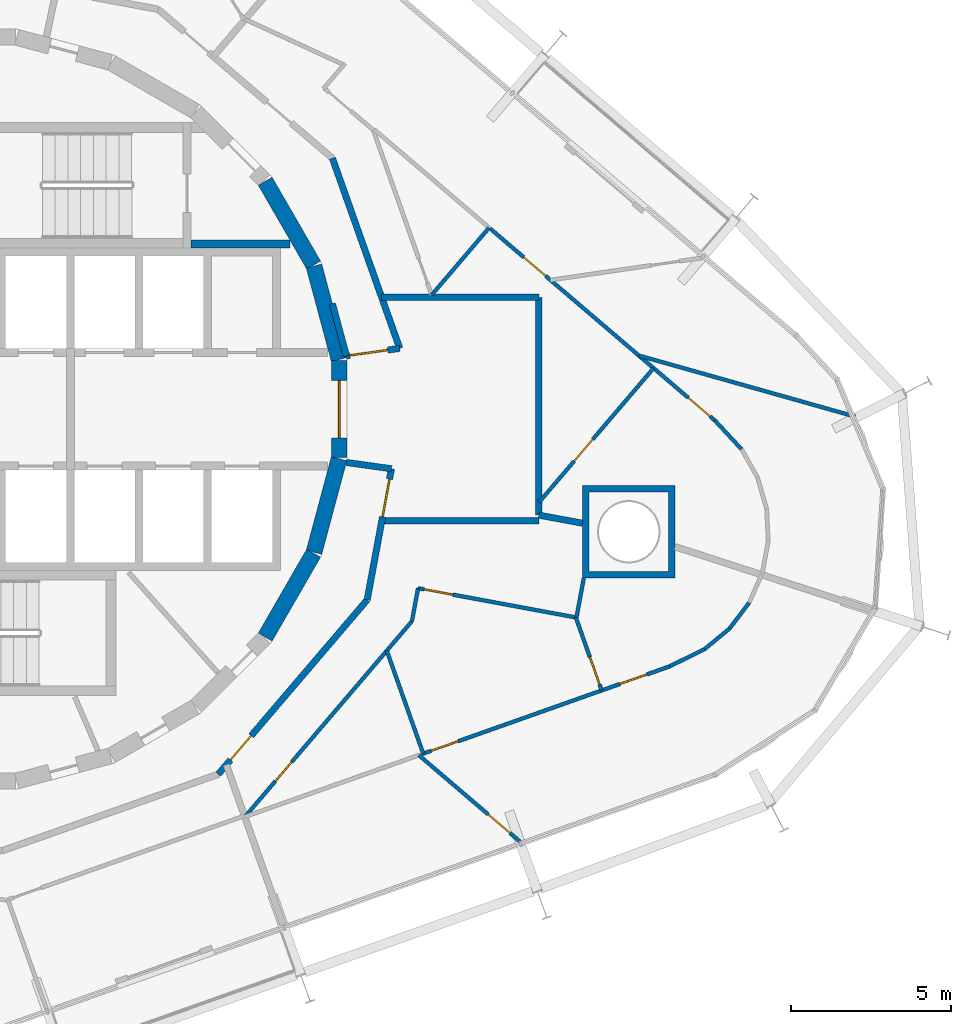
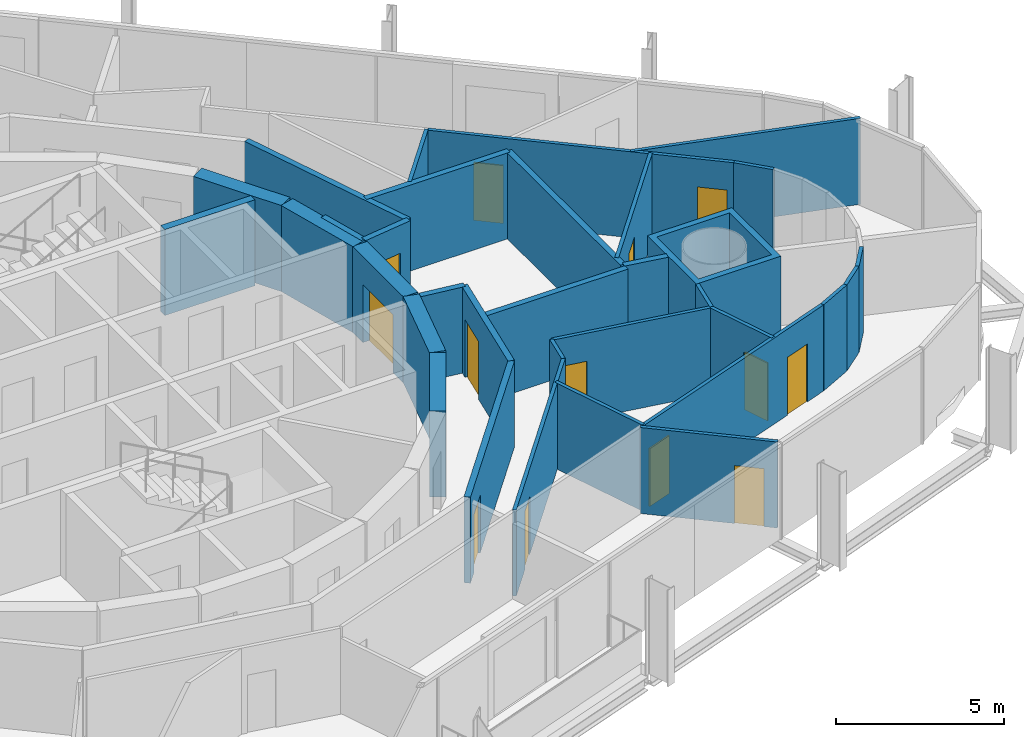
# One storey, part 13 of 17: 33 walls, 13 doors, 13 openings.
"""IFC4 building model written with IfcOpenShell, lengths in metres."""

from ifc_helpers import new_model, si_unit, direction, frame, frame_2d, origin, place, context, subcontext, project, spatial, polyline, rectangle, outline, extrude, material, layer, layer_set, type_object, element, fill, save


model = new_model("IFC4")

# Units and contexts
model_context = context("Model", 3, precision=1e-05, world=origin(), true_north=direction((0.0, 1.0)))
body_context = subcontext(model_context, "Body", "Model", "MODEL_VIEW")
ifc_project = project(units=[si_unit("LENGTHUNIT", "METRE"), si_unit("AREAUNIT", "SQUARE_METRE"), si_unit("VOLUMEUNIT", "CUBIC_METRE"), si_unit("PLANEANGLEUNIT", "RADIAN"), si_unit("MASSUNIT", "GRAM", prefix="KILO")], contexts=[model_context])

# Site, building, storey
site_placement = place(None, origin())
site = spatial("IfcSite", under=ifc_project, at=site_placement, CompositionType="ELEMENT")
building_placement = place(site_placement, origin())
building = spatial("IfcBuilding", under=site, at=building_placement, Name="Spindle Arch Residences", CompositionType="ELEMENT")
storey_placement = place(building_placement, frame((0.0, 0.0, 169.199951171875)))
storey = spatial("IfcBuildingStorey", under=building, at=storey_placement, Name="L42", CompositionType="ELEMENT", Elevation=169.199951171875)

# Walls
ifc_material_1 = material(Name="Concrete C50/60", Category="concrete")
ifc_layer_1 = layer(ifc_material_1, 0.5)
ifc_layer_set_1 = layer_set([ifc_layer_1], Name="Core outline wall 500")
wall_type_1 = type_object("IfcWallType", Name="Core outline wall 500", PredefinedType="SHEAR", material=ifc_layer_set_1)
for number, where, z_axis, x_axis, name in (
    (1, (9.32861328125, -7.13671875, 0.0), (0.0, 0.0, 1.0), (0.500087131594, 0.865975092491, 0.0), "Core outline wall 4"),
    (2, (10.858154296875, -4.479248046875, 0.0), (0.0, 0.0, 1.0), (0.258734743916, 0.965948410781, 0.0), "Core outline wall 5"),
):
    element("IfcWall", number, at=place(storey_placement, frame(where, z_axis=z_axis, x_axis=x_axis)), inside=storey, type_object=wall_type_1, Name=name, PredefinedType="SHEAR", context=body_context, shape_type="SweptSolid", body=[
        extrude(rectangle(XDim=3.03271484375, YDim=0.5, at=frame_2d((1.516357421875, 0.0))), origin(), (0.0, 0.0, 1.0), 3.1201171875),
    ])

# Wall, opening, door
wall_1_placement = place(storey_placement, frame((11.647216796875, -1.516357421875, 0.0), z_axis=(0.0, 0.0, 1.0), x_axis=(0.0, 1.0, 0.0)))
wall_1 = element("IfcWall", 3, at=wall_1_placement, inside=storey, type_object=wall_type_1, Name="Core outline wall 6", PredefinedType="SHEAR", context=body_context, shape_type="SweptSolid", body=[
    extrude(rectangle(XDim=3.03271484375, YDim=0.5, at=frame_2d((1.516357421875, 0.0))), origin(), (0.0, 0.0, 1.0), 3.1201171875),
])
opening_1_placement = place(wall_1_placement, frame((0.6162109375, 0.0, 0.0)))
opening_1 = element("IfcOpeningElement", 4, at=opening_1_placement, cuts=wall_1, Name="Opening R4B1-FE01", PredefinedType="OPENING", context=body_context, shape_type="SweptSolid", body=[
    extrude(rectangle(XDim=1.800048828125, YDim=2.10009765625, at=frame_2d((0.89990234375, 1.050048828125))), frame((0.0, 0.260009765625, 0.0), z_axis=(0.0, -1.0, 0.0), x_axis=(1.0, 0.0, 0.0)), (0.0, 0.0, 1.0), 0.52001953125),
])
ifc_material_2 = material(Name="Steel, fire-resisting door", Category="steel")
door_type_1 = type_object("IfcDoorType", Name="Fire-lift lobby door 1800x2100", OperationType="DOUBLE_DOOR_SINGLE_SWING", PredefinedType="DOOR", material=ifc_material_2)
door_1_placement = place(opening_1_placement, origin())
door_1 = element("IfcDoor", 5, at=door_1_placement, inside=storey, type_object=door_type_1, Name="Fire-lift lobby door R4B1-FE01", OperationType="DOUBLE_DOOR_SINGLE_SWING", OverallHeight=2.10009765625, OverallWidth=1.800048828125, PredefinedType="DOOR", context=body_context, shape_type="SweptSolid", body=[
    extrude(rectangle(XDim=1.800048828125, YDim=2.10009765625, at=frame_2d((0.89990234375, 1.050048828125))), frame((0.0, 0.02490234375, 0.0), z_axis=(0.0, -1.0, 0.0), x_axis=(1.0, 0.0, 0.0)), (0.0, 0.0, 1.0), 0.050048828125),
])
fill(opening_1, door_1)

# Walls
for number, where, z_axis, x_axis, name in (
    (6, (11.642822265625, 1.5498046875, 0.0), (0.0, 0.0, 1.0), (-0.258734743916, 0.965948410781, 0.0), "Core outline wall 7"),
    (7, (10.84521484375, 4.510498046875, 0.0), (0.0, 0.0, 1.0), (-0.500087131594, 0.865975092491, 0.0), "Core outline wall 8"),
):
    element("IfcWall", number, at=place(storey_placement, frame(where, z_axis=z_axis, x_axis=x_axis)), inside=storey, type_object=wall_type_1, Name=name, PredefinedType="SHEAR", context=body_context, shape_type="SweptSolid", body=[
        extrude(rectangle(XDim=3.03271484375, YDim=0.5, at=frame_2d((1.516357421875, 0.0))), origin(), (0.0, 0.0, 1.0), 3.1201171875),
    ])

# Wall, opening, door
ifc_material_3 = material(Name="Calcium silicate block, plastered")
ifc_layer_2 = layer(ifc_material_3, 0.199951171875)
ifc_layer_set_2 = layer_set([ifc_layer_2], Name="Corridor wall 200")
wall_type_2 = type_object("IfcWallType", Name="Corridor wall 200", PredefinedType="STANDARD", material=ifc_layer_set_2)
wall_2_placement = place(storey_placement, frame((7.857666015625, -11.432861328125, 0.0), z_axis=(0.0, 0.0, 1.0), x_axis=(0.649440801937, 0.760412154545, 0.0)))
wall_2 = element("IfcWall", 8, at=wall_2_placement, inside=storey, type_object=wall_type_2, Name="Corridor wall R4B1-W020", PredefinedType="STANDARD", context=body_context, shape_type="SweptSolid", body=[
    extrude(rectangle(XDim=7.180908203125, YDim=0.199951171875, at=frame_2d((3.59033203125, 0.0))), origin(), (0.0, 0.0, 1.0), 3.1201171875),
])
opening_2_placement = place(wall_2_placement, frame((0.592041015625, 0.0, 0.0)))
opening_2 = element("IfcOpeningElement", 9, at=opening_2_placement, cuts=wall_2, Name="Opening R4B1-FD06", PredefinedType="OPENING", context=body_context, shape_type="SweptSolid", body=[
    extrude(rectangle(XDim=1.0, YDim=2.10009765625, at=frame_2d((0.5, 1.050048828125))), frame((0.0, 0.10986328125, 0.0), z_axis=(0.0, -1.0, 0.0), x_axis=(1.0, 0.0, 0.0)), (0.0, 0.0, 1.0), 0.219970703125),
])
ifc_material_4 = material(Name="Timber, fire-resisting door set", Category="wood")
door_type_2 = type_object("IfcDoorType", Name="Flat entrance door 1000x2100", OperationType="NOTDEFINED", PredefinedType="DOOR", material=ifc_material_4)
door_2_placement = place(opening_2_placement, origin())
door_2 = element("IfcDoor", 10, at=door_2_placement, inside=storey, type_object=door_type_2, Name="Flat entrance door R4B1-FD06", OperationType="SINGLE_SWING_RIGHT", OverallHeight=2.10009765625, OverallWidth=1.0, PredefinedType="DOOR", context=body_context, shape_type="SweptSolid", body=[
    extrude(rectangle(XDim=1.0, YDim=2.10009765625, at=frame_2d((0.5, 1.050048828125))), frame((0.0, 0.02490234375, 0.0), z_axis=(0.0, -1.0, 0.0), x_axis=(1.0, 0.0, 0.0)), (0.0, 0.0, 1.0), 0.050048828125),
])
fill(opening_2, door_2)

# Wall
ifc_material_5 = material(Name="Calcium silicate block, plastered")
ifc_layer_3 = layer(ifc_material_5, 0.199951171875)
ifc_layer_set_3 = layer_set([ifc_layer_3], Name="Fire-lift lobby bay wall 200")
wall_type_3 = type_object("IfcWallType", Name="Fire-lift lobby bay wall 200", PredefinedType="STANDARD", material=ifc_layer_set_3)
wall_3_placement = place(storey_placement, frame((11.8701171875, 1.668212890625, 0.0), z_axis=(0.0, 0.0, 1.0), x_axis=(-0.258836880648, 0.965921047093, 0.0)))
element("IfcWall", 11, at=wall_3_placement, inside=storey, type_object=wall_type_3, Name="Fire-lift lobby bay wall R4B1-W001", PredefinedType="STANDARD", context=body_context, shape_type="SweptSolid", body=[
    extrude(rectangle(XDim=1.695068359375, YDim=0.199951171875, at=frame_2d((0.84765625, 0.0))), origin(), (0.0, 0.0, 1.0), 3.1201171875),
])

# Wall, opening, door
wall_4_placement = place(storey_placement, frame((11.8701171875, 1.668212890625, 0.0), z_axis=(0.0, 0.0, 1.0), x_axis=(0.990270910415, 0.139152879904, 0.0)))
wall_4 = element("IfcWall", 12, at=wall_4_placement, inside=storey, type_object=wall_type_3, Name="Fire-lift lobby bay wall R4B1-W002", PredefinedType="STANDARD", context=body_context, shape_type="SweptSolid", body=[
    extrude(rectangle(XDim=1.687744140625, YDim=0.199951171875, at=frame_2d((0.84375, 0.0))), origin(), (0.0, 0.0, 1.0), 3.1201171875),
])
opening_3_placement = place(wall_4_placement, frame((0.110107421875, 0.0, 0.0)))
opening_3 = element("IfcOpeningElement", 13, at=opening_3_placement, cuts=wall_4, Name="Opening R4B1-CD01", PredefinedType="OPENING", context=body_context, shape_type="SweptSolid", body=[
    extrude(rectangle(XDim=1.199951171875, YDim=2.10009765625, at=frame_2d((0.60009765625, 1.050048828125))), frame((0.0, 0.10986328125, 0.0), z_axis=(0.0, -1.0, 0.0), x_axis=(1.0, 0.0, 0.0)), (0.0, 0.0, 1.0), 0.219970703125),
])
ifc_material_6 = material(Name="Steel, fire-resisting door", Category="steel")
door_type_3 = type_object("IfcDoorType", Name="Corridor division door 1200x2100", OperationType="NOTDEFINED", PredefinedType="DOOR", material=ifc_material_6)
door_3_placement = place(opening_3_placement, origin())
door_3 = element("IfcDoor", 14, at=door_3_placement, inside=storey, type_object=door_type_3, Name="Corridor division door R4B1-CD01", OperationType="DOUBLE_DOOR_SINGLE_SWING", OverallHeight=2.10009765625, OverallWidth=1.199951171875, PredefinedType="DOOR", context=body_context, shape_type="SweptSolid", body=[
    extrude(rectangle(XDim=1.199951171875, YDim=2.10009765625, at=frame_2d((0.60009765625, 1.050048828125))), frame((0.0, 0.02490234375, 0.0), z_axis=(0.0, -1.0, 0.0), x_axis=(1.0, 0.0, 0.0)), (0.0, 0.0, 1.0), 0.050048828125),
])
fill(opening_3, door_3)

# Wall
wall_5_placement = place(storey_placement, frame((13.54150390625, 1.903076171875, 0.0), z_axis=(0.0, 0.0, 1.0), x_axis=(-0.333808508206, 0.942640907159, 0.0)))
element("IfcWall", 15, at=wall_5_placement, inside=storey, type_object=wall_type_3, Name="Fire-lift lobby bay wall R4B1-W003", PredefinedType="STANDARD", context=body_context, shape_type="SweptSolid", body=[
    extrude(rectangle(XDim=6.31689453125, YDim=0.199951171875, at=frame_2d((3.158447265625, 0.0))), origin(), (0.0, 0.0, 1.0), 3.1201171875),
])

# Wall, opening, door
wall_6_placement = place(storey_placement, frame((12.521240234375, -5.972412109375, 0.0), z_axis=(0.0, 0.0, 1.0), x_axis=(0.182244189886, 0.983253301674, 0.0)))
wall_6 = element("IfcWall", 16, at=wall_6_placement, inside=storey, type_object=wall_type_3, Name="Fire-lift lobby bay wall R4B1-W012", PredefinedType="STANDARD", context=body_context, shape_type="SweptSolid", body=[
    extrude(rectangle(XDim=4.175537109375, YDim=0.199951171875, at=frame_2d((2.087890625, 0.0))), origin(), (0.0, 0.0, 1.0), 3.1201171875),
])
opening_4_placement = place(wall_6_placement, frame((2.64453125, 0.0, 0.0)))
opening_4 = element("IfcOpeningElement", 17, at=opening_4_placement, cuts=wall_6, Name="Opening R4B1-CD02", PredefinedType="OPENING", context=body_context, shape_type="SweptSolid", body=[
    extrude(rectangle(XDim=1.199951171875, YDim=2.10009765625, at=frame_2d((0.60009765625, 1.050048828125))), frame((0.0, 0.10986328125, 0.0), z_axis=(0.0, -1.0, 0.0), x_axis=(1.0, 0.0, 0.0)), (0.0, 0.0, 1.0), 0.219970703125),
])
door_4_placement = place(opening_4_placement, origin())
door_4 = element("IfcDoor", 18, at=door_4_placement, inside=storey, type_object=door_type_3, Name="Corridor division door R4B1-CD02", OperationType="DOUBLE_DOOR_SINGLE_SWING", OverallHeight=2.10009765625, OverallWidth=1.199951171875, PredefinedType="DOOR", context=body_context, shape_type="SweptSolid", body=[
    extrude(rectangle(XDim=1.199951171875, YDim=2.10009765625, at=frame_2d((0.60009765625, 1.050048828125))), frame((0.0, 0.02490234375, 0.0), z_axis=(0.0, -1.0, 0.0), x_axis=(1.0, 0.0, 0.0)), (0.0, 0.0, 1.0), 0.050048828125),
])
fill(opening_4, door_4)

# Walls
wall_7_placement = place(storey_placement, frame((13.2822265625, -1.86669921875, 0.0), z_axis=(0.0, 0.0, 1.0), x_axis=(-0.990265430288, 0.139191873241, 0.0)))
element("IfcWall", 19, at=wall_7_placement, inside=storey, type_object=wall_type_3, Name="Fire-lift lobby bay wall R4B1-W013", PredefinedType="STANDARD", context=body_context, shape_type="SweptSolid", body=[
    extrude(rectangle(XDim=1.426025390625, YDim=0.199951171875, at=frame_2d((0.712890625, 0.0))), origin(), (0.0, 0.0, 1.0), 3.1201171875),
])
wall_8_placement = place(storey_placement, frame((17.89990234375, 3.5, 0.0), z_axis=(0.0, 0.0, 1.0), x_axis=(-1.0, 0.0, 0.0)))
element("IfcWall", 20, at=wall_8_placement, inside=storey, type_object=wall_type_3, Name="Fire-lift lobby bay wall R4B1-W025", PredefinedType="STANDARD", context=body_context, shape_type="SweptSolid", body=[
    extrude(rectangle(XDim=4.923828125, YDim=0.199951171875, at=frame_2d((2.4619140625, 0.0))), origin(), (0.0, 0.0, 1.0), 3.1201171875),
])
wall_9_placement = place(storey_placement, frame((17.89990234375, -3.317626953125, 0.0), z_axis=(0.0, 0.0, 1.0), x_axis=(0.0, 1.0, 0.0)))
element("IfcWall", 21, at=wall_9_placement, inside=storey, type_object=wall_type_3, Name="Fire-lift lobby bay wall R4B1-W026", PredefinedType="STANDARD", context=body_context, shape_type="SweptSolid", body=[
    extrude(rectangle(XDim=6.817626953125, YDim=0.199951171875, at=frame_2d((3.40869140625, 0.0))), origin(), (0.0, 0.0, 1.0), 3.1201171875),
])
wall_10_placement = place(storey_placement, frame((12.9794921875, -3.5, 0.0), z_axis=(0.0, 0.0, 1.0), x_axis=(1.0, 0.0, 0.0)))
element("IfcWall", 22, at=wall_10_placement, inside=storey, type_object=wall_type_3, Name="Fire-lift lobby bay wall R4B1-W027", PredefinedType="STANDARD", context=body_context, shape_type="SweptSolid", body=[
    extrude(rectangle(XDim=4.92041015625, YDim=0.199951171875, at=frame_2d((2.460205078125, 0.0))), origin(), (0.0, 0.0, 1.0), 3.1201171875),
])

# Wall, openings, doors
ifc_material_7 = material(Name="Plasterboard on steel studs", Category="steel")
ifc_layer_4 = layer(ifc_material_7, 0.1201171875)
ifc_layer_set_4 = layer_set([ifc_layer_4], Name="Flat partition 120")
wall_type_4 = type_object("IfcWallType", Name="Flat partition 120", PredefinedType="PARTITIONING", material=ifc_layer_set_4)
wall_11_placement = place(storey_placement, frame((23.411376953125, -0.35693359375, 0.0), z_axis=(0.0, 0.0, 1.0), x_axis=(-0.76041871148, 0.649433124525, 0.0)))
wall_11 = element("IfcWall", 23, at=wall_11_placement, inside=storey, type_object=wall_type_4, Name="Flat partition R4B1-W043", PredefinedType="PARTITIONING", context=body_context, shape_type="SweptSolid", body=[
    extrude(rectangle(XDim=9.2587890625, YDim=0.1201171875, at=frame_2d((4.62939453125, 0.0))), origin(), (0.0, 0.0, 1.0), 3.1201171875),
])
opening_5_placement = place(wall_11_placement, frame((6.971923828125, 0.0, 0.0)))
opening_5 = element("IfcOpeningElement", 24, at=opening_5_placement, cuts=wall_11, Name="Opening R4B1-ID02", PredefinedType="OPENING", context=body_context, shape_type="SweptSolid", body=[
    extrude(rectangle(XDim=0.89990234375, YDim=2.10009765625, at=frame_2d((0.449951171875, 1.050048828125))), frame((0.0, 0.070068359375, 0.0), z_axis=(0.0, -1.0, 0.0), x_axis=(1.0, 0.0, 0.0)), (0.0, 0.0, 1.0), 0.14013671875),
])
opening_6_placement = place(wall_11_placement, frame((0.199951171875, 0.0, 0.0)))
opening_6 = element("IfcOpeningElement", 25, at=opening_6_placement, cuts=wall_11, Name="Opening R4B1-ID05", PredefinedType="OPENING", context=body_context, shape_type="SweptSolid", body=[
    extrude(rectangle(XDim=0.89990234375, YDim=2.10009765625, at=frame_2d((0.449951171875, 1.050048828125))), frame((0.0, 0.070068359375, 0.0), z_axis=(0.0, -1.0, 0.0), x_axis=(1.0, 0.0, 0.0)), (0.0, 0.0, 1.0), 0.14013671875),
])
ifc_material_8 = material(Name="Timber door set", Category="wood")
door_type_4 = type_object("IfcDoorType", Name="Room door 900x2100", OperationType="NOTDEFINED", PredefinedType="DOOR", material=ifc_material_8)
door_5_placement = place(opening_5_placement, origin())
door_5 = element("IfcDoor", 26, at=door_5_placement, inside=storey, type_object=door_type_4, Name="Room door R4B1-ID02", OperationType="SINGLE_SWING_RIGHT", OverallHeight=2.10009765625, OverallWidth=0.89990234375, PredefinedType="DOOR", context=body_context, shape_type="SweptSolid", body=[
    extrude(rectangle(XDim=0.89990234375, YDim=2.10009765625, at=frame_2d((0.449951171875, 1.050048828125))), frame((0.0, 0.02490234375, 0.0), z_axis=(0.0, -1.0, 0.0), x_axis=(1.0, 0.0, 0.0)), (0.0, 0.0, 1.0), 0.050048828125),
])
fill(opening_5, door_5)
door_6_placement = place(opening_6_placement, origin())
door_6 = element("IfcDoor", 27, at=door_6_placement, inside=storey, type_object=door_type_4, Name="Room door R4B1-ID05", OperationType="SINGLE_SWING_LEFT", OverallHeight=2.10009765625, OverallWidth=0.89990234375, PredefinedType="DOOR", context=body_context, shape_type="SweptSolid", body=[
    extrude(rectangle(XDim=0.89990234375, YDim=2.10009765625, at=frame_2d((0.449951171875, 1.050048828125))), frame((0.0, 0.02490234375, 0.0), z_axis=(0.0, -1.0, 0.0), x_axis=(1.0, 0.0, 0.0)), (0.0, 0.0, 1.0), 0.050048828125),
])
fill(opening_6, door_6)

# Wall
wall_12_placement = place(storey_placement, frame((16.340576171875, 5.681884765625, 0.0), z_axis=(0.0, 0.0, 1.0), x_axis=(-0.64946993237, -0.76038727432, 0.0)))
element("IfcWall", 28, at=wall_12_placement, inside=storey, type_object=wall_type_4, Name="Flat partition R4B1-W044", PredefinedType="PARTITIONING", context=body_context, shape_type="SweptSolid", body=[
    extrude(rectangle(XDim=2.771240234375, YDim=0.1201171875, at=frame_2d((1.3857421875, 0.0))), origin(), (0.0, 0.0, 1.0), 3.1201171875),
])

# Wall, opening, door
wall_13_placement = place(storey_placement, frame((17.89990234375, -2.91845703125, 0.0), z_axis=(0.0, 0.0, 1.0), x_axis=(0.649469887983, 0.760387312232, 0.0)))
wall_13 = element("IfcWall", 29, at=wall_13_placement, inside=storey, type_object=wall_type_4, Name="Flat partition R4B1-W045", PredefinedType="PARTITIONING", context=body_context, shape_type="SweptSolid", body=[
    extrude(rectangle(XDim=5.52685546875, YDim=0.1201171875, at=frame_2d((2.763427734375, 0.0))), origin(), (0.0, 0.0, 1.0), 3.1201171875),
])
opening_7_placement = place(wall_13_placement, frame((1.699951171875, 0.0, 0.0)))
opening_7 = element("IfcOpeningElement", 30, at=opening_7_placement, cuts=wall_13, Name="Opening R4B1-ID04", PredefinedType="OPENING", context=body_context, shape_type="SweptSolid", body=[
    extrude(rectangle(XDim=0.89990234375, YDim=2.10009765625, at=frame_2d((0.449951171875, 1.050048828125))), frame((0.0, 0.070068359375, 0.0), z_axis=(0.0, -1.0, 0.0), x_axis=(1.0, 0.0, 0.0)), (0.0, 0.0, 1.0), 0.14013671875),
])
door_7_placement = place(opening_7_placement, origin())
door_7 = element("IfcDoor", 31, at=door_7_placement, inside=storey, type_object=door_type_4, Name="Room door R4B1-ID04", OperationType="SINGLE_SWING_LEFT", OverallHeight=2.10009765625, OverallWidth=0.89990234375, PredefinedType="DOOR", context=body_context, shape_type="SweptSolid", body=[
    extrude(rectangle(XDim=0.89990234375, YDim=2.10009765625, at=frame_2d((0.449951171875, 1.050048828125))), frame((0.0, 0.02490234375, 0.0), z_axis=(0.0, -1.0, 0.0), x_axis=(1.0, 0.0, 0.0)), (0.0, 0.0, 1.0), 0.050048828125),
])
fill(opening_7, door_7)

# Walls
wall_14_placement = place(storey_placement, frame((21.029052734375, 1.677490234375, 0.0), z_axis=(0.0, 0.0, 1.0), x_axis=(0.962458274539, -0.271429677396, 0.0)))
element("IfcWall", 32, at=wall_14_placement, inside=storey, type_object=wall_type_4, Name="Flat partition R4B1-W047", PredefinedType="PARTITIONING", context=body_context, shape_type="SweptSolid", body=[
    extrude(rectangle(XDim=7.037353515625, YDim=0.1201171875, at=frame_2d((3.5185546875, 0.0))), origin(), (0.0, 0.0, 1.0), 3.1201171875),
])
wall_15_placement = place(storey_placement, frame((24.24560546875, -1.2568359375, 0.0), z_axis=(0.0, 0.0, 1.0), x_axis=(-0.679840361176, 0.733360132074, 0.0)))
element("IfcWall", 33, at=wall_15_placement, inside=storey, type_object=wall_type_4, Name="Flat partition R4B1-W052", PredefinedType="PARTITIONING", context=body_context, shape_type="SweptSolid", body=[
    extrude(rectangle(XDim=1.22705078125, YDim=0.1201171875, at=frame_2d((0.613525390625, 0.0))), origin(), (0.0, 0.0, 1.0), 3.1201171875),
])

# Wall, opening, door
wall_16_placement = place(storey_placement, frame((8.7373046875, -12.712646484375, 0.0), z_axis=(0.0, 0.0, 1.0), x_axis=(0.649430604754, 0.760420863476, 0.0)))
wall_16 = element("IfcWall", 34, at=wall_16_placement, inside=storey, type_object=wall_type_4, Name="Flat partition R4B1-W112", PredefinedType="PARTITIONING", context=body_context, shape_type="SweptSolid", body=[
    extrude(rectangle(XDim=7.98486328125, YDim=0.1201171875, at=frame_2d((3.992431640625, 0.0))), origin(), (0.0, 0.0, 1.0), 3.1201171875),
])
opening_8_placement = place(wall_16_placement, frame((1.39990234375, 0.0, 0.0)))
opening_8 = element("IfcOpeningElement", 35, at=opening_8_placement, cuts=wall_16, Name="Opening R4B1-BD06", PredefinedType="OPENING", context=body_context, shape_type="SweptSolid", body=[
    extrude(rectangle(XDim=0.800048828125, YDim=2.10009765625, at=frame_2d((0.39990234375, 1.050048828125))), frame((0.0, 0.070068359375, 0.0), z_axis=(0.0, -1.0, 0.0), x_axis=(1.0, 0.0, 0.0)), (0.0, 0.0, 1.0), 0.14013671875),
])
ifc_material_9 = material(Name="Timber door set", Category="wood")
door_type_5 = type_object("IfcDoorType", Name="Bathroom door 800x2100", OperationType="NOTDEFINED", PredefinedType="DOOR", material=ifc_material_9)
door_8_placement = place(opening_8_placement, origin())
door_8 = element("IfcDoor", 36, at=door_8_placement, inside=storey, type_object=door_type_5, Name="Bathroom door R4B1-BD06", OperationType="SINGLE_SWING_RIGHT", OverallHeight=2.10009765625, OverallWidth=0.800048828125, PredefinedType="DOOR", context=body_context, shape_type="SweptSolid", body=[
    extrude(rectangle(XDim=0.800048828125, YDim=2.10009765625, at=frame_2d((0.39990234375, 1.050048828125))), frame((0.0, 0.02490234375, 0.0), z_axis=(0.0, -1.0, 0.0), x_axis=(1.0, 0.0, 0.0)), (0.0, 0.0, 1.0), 0.050048828125),
])
fill(opening_8, door_8)

# Wall
wall_17_placement = place(storey_placement, frame((13.9228515625, -6.640869140625, 0.0), z_axis=(0.0, 0.0, 1.0), x_axis=(0.182396711264, 0.983225019881, 0.0)))
element("IfcWall", 37, at=wall_17_placement, inside=storey, type_object=wall_type_4, Name="Flat partition R4B1-W113", PredefinedType="PARTITIONING", context=body_context, shape_type="SweptSolid", body=[
    extrude(rectangle(XDim=1.052001953125, YDim=0.1201171875, at=frame_2d((0.52587890625, 0.0))), origin(), (0.0, 0.0, 1.0), 3.1201171875),
])

# Wall, opening, door
wall_18_placement = place(storey_placement, frame((14.11474609375, -5.6064453125, 0.0), z_axis=(0.0, 0.0, 1.0), x_axis=(0.983252350103, -0.182249323775, 0.0)))
wall_18 = element("IfcWall", 38, at=wall_18_placement, inside=storey, type_object=wall_type_4, Name="Flat partition R4B1-W114", PredefinedType="PARTITIONING", context=body_context, shape_type="SweptSolid", body=[
    extrude(rectangle(XDim=5.02490234375, YDim=0.1201171875, at=frame_2d((2.512451171875, 0.0))), origin(), (0.0, 0.0, 1.0), 3.1201171875),
])
opening_9_placement = place(wall_18_placement, frame((0.199951171875, 0.0, 0.0)))
opening_9 = element("IfcOpeningElement", 39, at=opening_9_placement, cuts=wall_18, Name="Opening R4B1-ID26", PredefinedType="OPENING", context=body_context, shape_type="SweptSolid", body=[
    extrude(rectangle(XDim=0.89990234375, YDim=2.10009765625, at=frame_2d((0.449951171875, 1.050048828125))), frame((0.0, 0.070068359375, 0.0), z_axis=(0.0, -1.0, 0.0), x_axis=(1.0, 0.0, 0.0)), (0.0, 0.0, 1.0), 0.14013671875),
])
door_9_placement = place(opening_9_placement, origin())
door_9 = element("IfcDoor", 40, at=door_9_placement, inside=storey, type_object=door_type_4, Name="Room door R4B1-ID26", OperationType="SINGLE_SWING_RIGHT", OverallHeight=2.10009765625, OverallWidth=0.89990234375, PredefinedType="DOOR", context=body_context, shape_type="SweptSolid", body=[
    extrude(rectangle(XDim=0.89990234375, YDim=2.10009765625, at=frame_2d((0.449951171875, 1.050048828125))), frame((0.0, 0.02490234375, 0.0), z_axis=(0.0, -1.0, 0.0), x_axis=(1.0, 0.0, 0.0)), (0.0, 0.0, 1.0), 0.050048828125),
])
fill(opening_9, door_9)

# Wall
wall_19_placement = place(storey_placement, frame((19.074951171875, -6.525634765625, 0.0), z_axis=(0.0, 0.0, 1.0), x_axis=(0.182283897093, 0.983245941187, 0.0)))
element("IfcWall", 41, at=wall_19_placement, inside=storey, type_object=wall_type_4, Name="Flat partition R4B1-W115", PredefinedType="PARTITIONING", context=body_context, shape_type="SweptSolid", body=[
    extrude(rectangle(XDim=1.257568359375, YDim=0.1201171875, at=frame_2d((0.62890625, 0.0))), origin(), (0.0, 0.0, 1.0), 3.1201171875),
])

# Wall, opening, door
wall_20_placement = place(storey_placement, frame((17.30029296875, -13.5341796875, 0.0), z_axis=(0.0, 0.0, 1.0), x_axis=(-0.760428665789, 0.649421468883, 0.0)))
wall_20 = element("IfcWall", 42, at=wall_20_placement, inside=storey, type_object=wall_type_4, Name="Flat partition R4B1-W117", PredefinedType="PARTITIONING", context=body_context, shape_type="SweptSolid", body=[
    extrude(rectangle(XDim=4.15673828125, YDim=0.1201171875, at=frame_2d((2.078369140625, 0.0))), origin(), (0.0, 0.0, 1.0), 3.1201171875),
])
opening_10_placement = place(wall_20_placement, frame((0.39990234375, 0.0, 0.0)))
opening_10 = element("IfcOpeningElement", 43, at=opening_10_placement, cuts=wall_20, Name="Opening R4B1-ID29", PredefinedType="OPENING", context=body_context, shape_type="SweptSolid", body=[
    extrude(rectangle(XDim=0.89990234375, YDim=2.10009765625, at=frame_2d((0.449951171875, 1.050048828125))), frame((0.0, 0.070068359375, 0.0), z_axis=(0.0, -1.0, 0.0), x_axis=(1.0, 0.0, 0.0)), (0.0, 0.0, 1.0), 0.14013671875),
])
door_10_placement = place(opening_10_placement, origin())
door_10 = element("IfcDoor", 44, at=door_10_placement, inside=storey, type_object=door_type_4, Name="Room door R4B1-ID29", OperationType="SINGLE_SWING_LEFT", OverallHeight=2.10009765625, OverallWidth=0.89990234375, PredefinedType="DOOR", context=body_context, shape_type="SweptSolid", body=[
    extrude(rectangle(XDim=0.89990234375, YDim=2.10009765625, at=frame_2d((0.449951171875, 1.050048828125))), frame((0.0, 0.02490234375, 0.0), z_axis=(0.0, -1.0, 0.0), x_axis=(1.0, 0.0, 0.0)), (0.0, 0.0, 1.0), 0.050048828125),
])
fill(opening_10, door_10)

# Wall
wall_21_placement = place(storey_placement, frame((14.277099609375, -10.785888671875, 0.0), z_axis=(0.0, 0.0, 1.0), x_axis=(-0.333865646111, 0.942620671504, 0.0)))
element("IfcWall", 45, at=wall_21_placement, inside=storey, type_object=wall_type_4, Name="Flat partition R4B1-W118", PredefinedType="PARTITIONING", context=body_context, shape_type="SweptSolid", body=[
    extrude(rectangle(XDim=3.41943359375, YDim=0.1201171875, at=frame_2d((1.709716796875, 0.0))), origin(), (0.0, 0.0, 1.0), 3.1201171875),
])

# Wall, openings, doors
wall_22_placement = place(storey_placement, frame((14.2392578125, -10.79931640625, 0.0), z_axis=(0.0, 0.0, 1.0), x_axis=(0.94264202959, 0.333805338558, 0.0)))
wall_22 = element("IfcWall", 46, at=wall_22_placement, inside=storey, type_object=wall_type_4, Name="Flat partition R4B1-W119", PredefinedType="PARTITIONING", context=body_context, shape_type="SweptSolid", body=[
    extrude(rectangle(XDim=8.21630859375, YDim=0.1201171875, at=frame_2d((4.108154296875, 0.0))), origin(), (0.0, 0.0, 1.0), 3.1201171875),
])
opening_11_placement = place(wall_22_placement, frame((0.300048828125, 0.0, 0.0)))
opening_11 = element("IfcOpeningElement", 47, at=opening_11_placement, cuts=wall_22, Name="Opening R4B1-ID27", PredefinedType="OPENING", context=body_context, shape_type="SweptSolid", body=[
    extrude(rectangle(XDim=0.89990234375, YDim=2.10009765625, at=frame_2d((0.449951171875, 1.050048828125))), frame((0.0, 0.070068359375, 0.0), z_axis=(0.0, -1.0, 0.0), x_axis=(1.0, 0.0, 0.0)), (0.0, 0.0, 1.0), 0.14013671875),
])
opening_12_placement = place(wall_22_placement, frame((6.567626953125, 0.0, 0.0)))
opening_12 = element("IfcOpeningElement", 48, at=opening_12_placement, cuts=wall_22, Name="Opening R4B1-ID30", PredefinedType="OPENING", context=body_context, shape_type="SweptSolid", body=[
    extrude(rectangle(XDim=0.89990234375, YDim=2.10009765625, at=frame_2d((0.449951171875, 1.050048828125))), frame((0.0, 0.070068359375, 0.0), z_axis=(0.0, -1.0, 0.0), x_axis=(1.0, 0.0, 0.0)), (0.0, 0.0, 1.0), 0.14013671875),
])
door_11_placement = place(opening_11_placement, origin())
door_11 = element("IfcDoor", 49, at=door_11_placement, inside=storey, type_object=door_type_4, Name="Room door R4B1-ID27", OperationType="SINGLE_SWING_RIGHT", OverallHeight=2.10009765625, OverallWidth=0.89990234375, PredefinedType="DOOR", context=body_context, shape_type="SweptSolid", body=[
    extrude(rectangle(XDim=0.89990234375, YDim=2.10009765625, at=frame_2d((0.449951171875, 1.050048828125))), frame((0.0, 0.02490234375, 0.0), z_axis=(0.0, -1.0, 0.0), x_axis=(1.0, 0.0, 0.0)), (0.0, 0.0, 1.0), 0.050048828125),
])
fill(opening_11, door_11)
door_12_placement = place(opening_12_placement, origin())
door_12 = element("IfcDoor", 50, at=door_12_placement, inside=storey, type_object=door_type_4, Name="Room door R4B1-ID30", OperationType="SINGLE_SWING_LEFT", OverallHeight=2.10009765625, OverallWidth=0.89990234375, PredefinedType="DOOR", context=body_context, shape_type="SweptSolid", body=[
    extrude(rectangle(XDim=0.89990234375, YDim=2.10009765625, at=frame_2d((0.449951171875, 1.050048828125))), frame((0.0, 0.02490234375, 0.0), z_axis=(0.0, -1.0, 0.0), x_axis=(1.0, 0.0, 0.0)), (0.0, 0.0, 1.0), 0.050048828125),
])
fill(opening_12, door_12)

# Wall, opening, door
wall_23_placement = place(storey_placement, frame((19.864501953125, -8.80712890625, 0.0), z_axis=(0.0, 0.0, 1.0), x_axis=(-0.33378934261, 0.942647693871, 0.0)))
wall_23 = element("IfcWall", 51, at=wall_23_placement, inside=storey, type_object=wall_type_4, Name="Flat partition R4B1-W120", PredefinedType="PARTITIONING", context=body_context, shape_type="SweptSolid", body=[
    extrude(rectangle(XDim=2.423828125, YDim=0.1201171875, at=frame_2d((1.2119140625, 0.0))), origin(), (0.0, 0.0, 1.0), 3.1201171875),
])
opening_13_placement = place(wall_23_placement, frame((0.199951171875, 0.0, 0.0)))
opening_13 = element("IfcOpeningElement", 52, at=opening_13_placement, cuts=wall_23, Name="Opening R4B1-ID28", PredefinedType="OPENING", context=body_context, shape_type="SweptSolid", body=[
    extrude(rectangle(XDim=0.89990234375, YDim=2.10009765625, at=frame_2d((0.449951171875, 1.050048828125))), frame((0.0, 0.070068359375, 0.0), z_axis=(0.0, -1.0, 0.0), x_axis=(1.0, 0.0, 0.0)), (0.0, 0.0, 1.0), 0.14013671875),
])
door_13_placement = place(opening_13_placement, origin())
door_13 = element("IfcDoor", 53, at=door_13_placement, inside=storey, type_object=door_type_4, Name="Room door R4B1-ID28", OperationType="SINGLE_SWING_RIGHT", OverallHeight=2.10009765625, OverallWidth=0.89990234375, PredefinedType="DOOR", context=body_context, shape_type="SweptSolid", body=[
    extrude(rectangle(XDim=0.89990234375, YDim=2.10009765625, at=frame_2d((0.449951171875, 1.050048828125))), frame((0.0, 0.02490234375, 0.0), z_axis=(0.0, -1.0, 0.0), x_axis=(1.0, 0.0, 0.0)), (0.0, 0.0, 1.0), 0.050048828125),
])
fill(opening_13, door_13)

# Walls
for number, where, z_axis, x_axis, name in (
    (54, (24.483154296875, -6.059814453125, 0.0), (0.0, 0.0, 1.0), (-0.60414450914, -0.796874778165, 0.0), "Flat partition R4B1-W122"),
    (55, (23.869384765625, -6.869384765625, 0.0), (0.0, 0.0, 1.0), (-0.771735944334, -0.635943104549, 0.0), "Flat partition R4B1-W123"),
):
    element("IfcWall", number, at=place(storey_placement, frame(where, z_axis=z_axis, x_axis=x_axis)), inside=storey, type_object=wall_type_4, Name=name, PredefinedType="PARTITIONING", context=body_context, shape_type="SweptSolid", body=[
        extrude(rectangle(XDim=1.015869140625, YDim=0.1201171875, at=frame_2d((0.5078125, 0.0))), origin(), (0.0, 0.0, 1.0), 3.1201171875),
    ])
wall_24_placement = place(storey_placement, frame((23.08544921875, -7.515380859375, 0.0), z_axis=(0.0, 0.0, 1.0), x_axis=(-0.897431337015, -0.441154162786, 0.0)))
element("IfcWall", 56, at=wall_24_placement, inside=storey, type_object=wall_type_4, Name="Flat partition R4B1-W124", PredefinedType="PARTITIONING", context=body_context, shape_type="SweptSolid", body=[
    extrude(rectangle(XDim=1.226806640625, YDim=0.1201171875, at=frame_2d((0.61328125, 0.0))), origin(), (0.0, 0.0, 1.0), 3.1201171875),
])
ifc_material_10 = material(Name="Calcium silicate block, plastered")
ifc_layer_5 = layer(ifc_material_10, 0.199951171875)
ifc_layer_set_5 = layer_set([ifc_layer_5], Name="Flat party wall 200")
wall_type_5 = type_object("IfcWallType", Name="Flat party wall 200", PredefinedType="STANDARD", material=ifc_layer_set_5)
wall_25_placement = place(storey_placement, frame((17.89990234375, -3.318603515625, 0.0), z_axis=(0.0, 0.0, 1.0), x_axis=(0.983246950753, -0.182278451375, 0.0)))
element("IfcWall", 57, at=wall_25_placement, inside=storey, type_object=wall_type_5, Name="Flat party wall R4B1-W029", PredefinedType="STANDARD", context=body_context, shape_type="SweptSolid", body=[
    extrude(rectangle(XDim=1.38623046875, YDim=0.199951171875, at=frame_2d((0.693115234375, 0.0))), origin(), (0.0, 0.0, 1.0), 3.1201171875),
])
ifc_material_11 = material(Name="Calcium silicate block, plastered")
ifc_layer_6 = layer(ifc_material_11, 0.199951171875)
ifc_layer_set_6 = layer_set([ifc_layer_6], Name="Mega-column casing wall 200")
wall_type_6 = type_object("IfcWallType", Name="Mega-column casing wall 200", PredefinedType="STANDARD", material=ifc_layer_set_6)
wall_26_placement = place(storey_placement, origin())
element("IfcWall", 58, at=wall_26_placement, inside=storey, type_object=wall_type_6, Name="Mega-column casing wall R4B1-WC03", PredefinedType="STANDARD", context=body_context, shape_type="SweptSolid", body=[
    extrude(outline(polyline([(22.1630859375, -2.388916015625), (22.1630859375, -5.2890625), (19.26318359375, -5.2890625), (19.26318359375, -2.388916015625), (22.1630859375, -2.388916015625)]), holes=[polyline([(19.463134765625, -5.089111328125), (21.963134765625, -5.089111328125), (21.963134765625, -2.589111328125), (19.463134765625, -2.589111328125), (19.463134765625, -5.089111328125)])]), origin(), (0.0, 0.0, 1.0), 3.1201171875),
])
ifc_material_12 = material(Name="Concrete C40/50", Category="concrete")
ifc_layer_7 = layer(ifc_material_12, 0.25)
ifc_layer_set_7 = layer_set([ifc_layer_7], Name="Stair airlock wall 250")
wall_type_7 = type_object("IfcWallType", Name="Stair airlock wall 250", PredefinedType="SHEAR", material=ifc_layer_set_7)
wall_27_placement = place(storey_placement, frame((7.0, 5.175048828125, 0.0), z_axis=(0.0, 0.0, 1.0), x_axis=(1.0, 0.0, 0.0)))
element("IfcWall", 59, at=wall_27_placement, inside=storey, type_object=wall_type_7, Name="Stair ST-1 airlock wall S", PredefinedType="SHEAR", context=body_context, shape_type="SweptSolid", body=[
    extrude(rectangle(XDim=3.10009765625, YDim=0.25, at=frame_2d((1.550048828125, 0.0))), origin(), (0.0, 0.0, 1.0), 3.1201171875),
])

save(model, "model.ifc")
